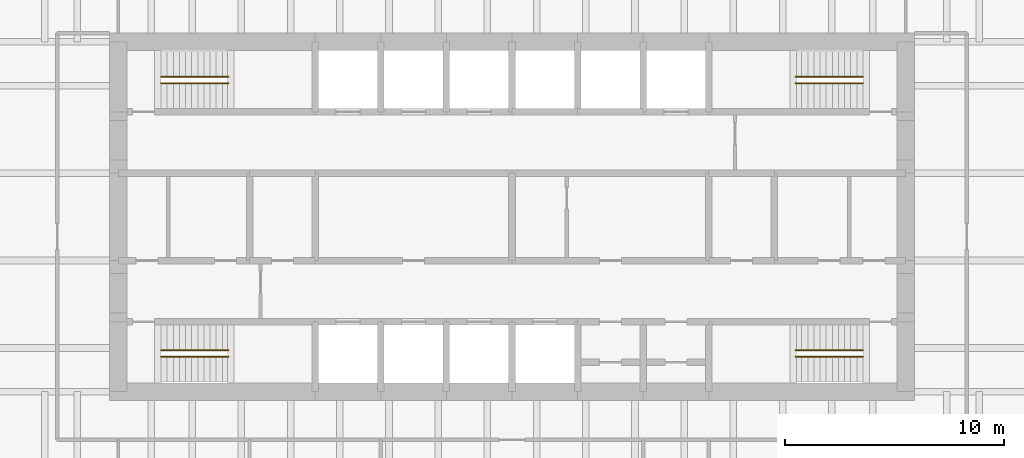
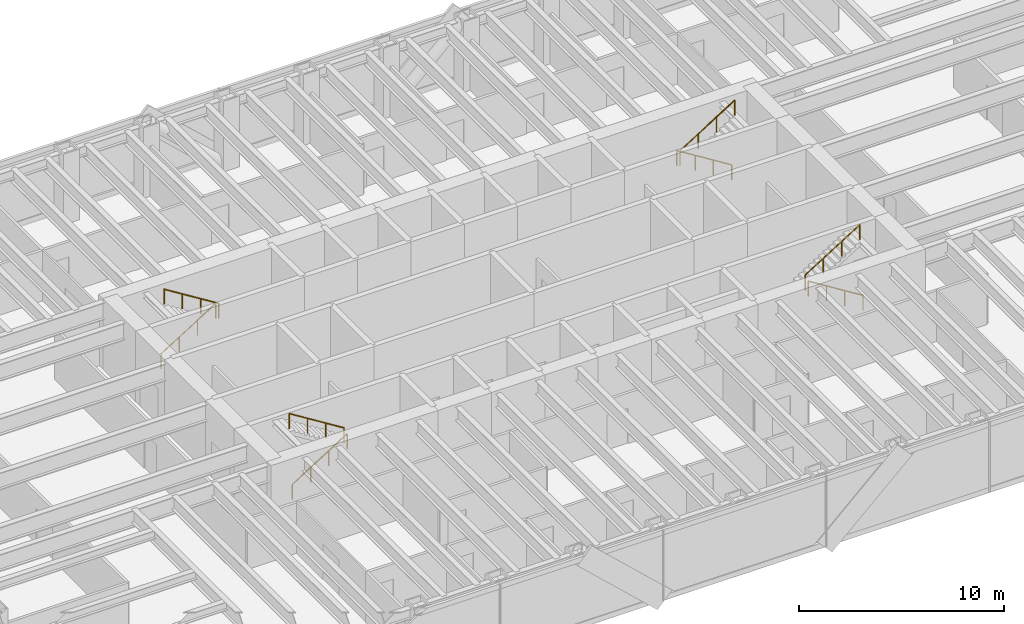
# One storey, part 16 of 16: 8 railings.
"""IFC4 building model written with IfcOpenShell, lengths in metres."""

from ifc_helpers import new_model, si_unit, direction, frame, origin, origin_2d, place, context, subcontext, project, spatial, circle, extrude, material, type_object, element, save


model = new_model("IFC4")

# Units and contexts
model_context = context("Model", 3, precision=1e-05, world=origin(), true_north=direction((0.0, 1.0)))
body_context = subcontext(model_context, "Body", "Model", "MODEL_VIEW")
ifc_project = project(units=[si_unit("LENGTHUNIT", "METRE"), si_unit("AREAUNIT", "SQUARE_METRE"), si_unit("VOLUMEUNIT", "CUBIC_METRE"), si_unit("PLANEANGLEUNIT", "RADIAN"), si_unit("MASSUNIT", "GRAM", prefix="KILO")], contexts=[model_context])

# Site, building, storey
site_placement = place(None, origin())
site = spatial("IfcSite", under=ifc_project, at=site_placement, CompositionType="ELEMENT")
building_placement = place(site_placement, origin())
building = spatial("IfcBuilding", under=site, at=building_placement, Name="Rheinbord Bourse Tower", CompositionType="ELEMENT")
storey_placement = place(building_placement, frame((0.0, 0.0, 219.39990234375)))
storey = spatial("IfcBuildingStorey", under=building, at=storey_placement, Name="L49", CompositionType="ELEMENT", Elevation=219.39990234375)

# Railings
ifc_material = material(Name="Steel handrail", Category="steel")
railing_type = type_object("IfcRailingType", Name="HANDRAIL 900", PredefinedType="HANDRAIL", material=ifc_material)
railing_1_placement = place(storey_placement, frame((19.949951171875, 17.60009765625, 0.175048828125)))
element("IfcRailing", 1, at=railing_1_placement, inside=storey, type_object=railing_type, Name="Handrail", PredefinedType="HANDRAIL", context=body_context, shape_type="SweptSolid", body=[
    extrude(circle(Radius=0.02392578125, at=origin_2d()), frame((0.0, 0.0, 0.8759765625), z_axis=(0.847998304005, 0.0, 0.529998940003), x_axis=(0.0, 1.0, 0.0)), (0.0, 0.0, 1.0), 3.632080078125),
    extrude(circle(Radius=0.02099609375, at=origin_2d()), origin(), (0.0, 0.0, 1.0), 0.851806640625),
    extrude(circle(Radius=0.02099609375, at=origin_2d()), frame((1.026611328125, 0.0, 0.6416015625)), (0.0, 0.0, 1.0), 0.851806640625),
    extrude(circle(Radius=0.02099609375, at=origin_2d()), frame((2.053466796875, 0.0, 1.283447265625)), (0.0, 0.0, 1.0), 0.851806640625),
    extrude(circle(Radius=0.02099609375, at=origin_2d()), frame((3.080078125, 0.0, 1.925048828125)), (0.0, 0.0, 1.0), 0.851806640625),
])
railing_2_placement = place(storey_placement, frame((23.030029296875, 17.89990234375, 2.275146484375)))
element("IfcRailing", 2, at=railing_2_placement, inside=storey, type_object=railing_type, Name="Handrail", PredefinedType="HANDRAIL", context=body_context, shape_type="SweptSolid", body=[
    extrude(circle(Radius=0.02392578125, at=origin_2d()), frame((0.0, 0.0, 0.8759765625), z_axis=(-0.847998304005, 0.0, 0.529998940003), x_axis=(0.0, -1.0, 0.0)), (0.0, 0.0, 1.0), 3.632080078125),
    extrude(circle(Radius=0.02099609375, at=origin_2d()), origin(), (0.0, 0.0, 1.0), 0.851806640625),
    extrude(circle(Radius=0.02099609375, at=origin_2d()), frame((-1.026611328125, 0.0, 0.6416015625)), (0.0, 0.0, 1.0), 0.851806640625),
    extrude(circle(Radius=0.02099609375, at=origin_2d()), frame((-2.053466796875, 0.0, 1.283447265625)), (0.0, 0.0, 1.0), 0.851806640625),
    extrude(circle(Radius=0.02099609375, at=origin_2d()), frame((-3.080078125, 0.0, 1.925048828125)), (0.0, 0.0, 1.0), 0.851806640625),
])
railing_3_placement = place(storey_placement, frame((19.949951171875, 30.39990234375, 0.175048828125)))
element("IfcRailing", 3, at=railing_3_placement, inside=storey, type_object=railing_type, Name="Handrail", PredefinedType="HANDRAIL", context=body_context, shape_type="SweptSolid", body=[
    extrude(circle(Radius=0.02392578125, at=origin_2d()), frame((0.0, 0.0, 0.8759765625), z_axis=(0.847998304005, 0.0, 0.529998940003), x_axis=(0.0, 1.0, 0.0)), (0.0, 0.0, 1.0), 3.632080078125),
    extrude(circle(Radius=0.02099609375, at=origin_2d()), origin(), (0.0, 0.0, 1.0), 0.851806640625),
    extrude(circle(Radius=0.02099609375, at=origin_2d()), frame((1.026611328125, 0.0, 0.6416015625)), (0.0, 0.0, 1.0), 0.851806640625),
    extrude(circle(Radius=0.02099609375, at=origin_2d()), frame((2.053466796875, 0.0, 1.283447265625)), (0.0, 0.0, 1.0), 0.851806640625),
    extrude(circle(Radius=0.02099609375, at=origin_2d()), frame((3.080078125, 0.0, 1.925048828125)), (0.0, 0.0, 1.0), 0.851806640625),
])
for number, where, name in (
    (4, (23.030029296875, 30.10009765625, 2.275146484375), "Handrail"),
    (5, (52.050048828125, 17.60009765625, 0.175048828125), "Handrail"),
):
    element("IfcRailing", number, at=place(storey_placement, frame(where)), inside=storey, type_object=railing_type, Name=name, PredefinedType="HANDRAIL", context=body_context, shape_type="SweptSolid", body=[
        extrude(circle(Radius=0.02392578125, at=origin_2d()), frame((0.0, 0.0, 0.8759765625), z_axis=(-0.847998304005, 0.0, 0.529998940003), x_axis=(0.0, -1.0, 0.0)), (0.0, 0.0, 1.0), 3.632080078125),
        extrude(circle(Radius=0.02099609375, at=origin_2d()), origin(), (0.0, 0.0, 1.0), 0.851806640625),
        extrude(circle(Radius=0.02099609375, at=origin_2d()), frame((-1.026611328125, 0.0, 0.6416015625)), (0.0, 0.0, 1.0), 0.851806640625),
        extrude(circle(Radius=0.02099609375, at=origin_2d()), frame((-2.053466796875, 0.0, 1.283447265625)), (0.0, 0.0, 1.0), 0.851806640625),
        extrude(circle(Radius=0.02099609375, at=origin_2d()), frame((-3.080078125, 0.0, 1.925048828125)), (0.0, 0.0, 1.0), 0.851806640625),
    ])
railing_4_placement = place(storey_placement, frame((48.969970703125, 17.89990234375, 2.275146484375)))
element("IfcRailing", 6, at=railing_4_placement, inside=storey, type_object=railing_type, Name="Handrail", PredefinedType="HANDRAIL", context=body_context, shape_type="SweptSolid", body=[
    extrude(circle(Radius=0.02392578125, at=origin_2d()), frame((0.0, 0.0, 0.8759765625), z_axis=(0.847998304005, 0.0, 0.529998940003), x_axis=(0.0, 1.0, 0.0)), (0.0, 0.0, 1.0), 3.632080078125),
    extrude(circle(Radius=0.02099609375, at=origin_2d()), origin(), (0.0, 0.0, 1.0), 0.851806640625),
    extrude(circle(Radius=0.02099609375, at=origin_2d()), frame((1.026611328125, 0.0, 0.6416015625)), (0.0, 0.0, 1.0), 0.851806640625),
    extrude(circle(Radius=0.02099609375, at=origin_2d()), frame((2.053466796875, 0.0, 1.283447265625)), (0.0, 0.0, 1.0), 0.851806640625),
    extrude(circle(Radius=0.02099609375, at=origin_2d()), frame((3.080078125, 0.0, 1.925048828125)), (0.0, 0.0, 1.0), 0.851806640625),
])
railing_5_placement = place(storey_placement, frame((52.050048828125, 30.39990234375, 0.175048828125)))
element("IfcRailing", 7, at=railing_5_placement, inside=storey, type_object=railing_type, Name="Handrail", PredefinedType="HANDRAIL", context=body_context, shape_type="SweptSolid", body=[
    extrude(circle(Radius=0.02392578125, at=origin_2d()), frame((0.0, 0.0, 0.8759765625), z_axis=(-0.847998304005, 0.0, 0.529998940003), x_axis=(0.0, -1.0, 0.0)), (0.0, 0.0, 1.0), 3.632080078125),
    extrude(circle(Radius=0.02099609375, at=origin_2d()), origin(), (0.0, 0.0, 1.0), 0.851806640625),
    extrude(circle(Radius=0.02099609375, at=origin_2d()), frame((-1.026611328125, 0.0, 0.6416015625)), (0.0, 0.0, 1.0), 0.851806640625),
    extrude(circle(Radius=0.02099609375, at=origin_2d()), frame((-2.053466796875, 0.0, 1.283447265625)), (0.0, 0.0, 1.0), 0.851806640625),
    extrude(circle(Radius=0.02099609375, at=origin_2d()), frame((-3.080078125, 0.0, 1.925048828125)), (0.0, 0.0, 1.0), 0.851806640625),
])
railing_6_placement = place(storey_placement, frame((48.969970703125, 30.10009765625, 2.275146484375)))
element("IfcRailing", 8, at=railing_6_placement, inside=storey, type_object=railing_type, Name="Handrail", PredefinedType="HANDRAIL", context=body_context, shape_type="SweptSolid", body=[
    extrude(circle(Radius=0.02392578125, at=origin_2d()), frame((0.0, 0.0, 0.8759765625), z_axis=(0.847998304005, 0.0, 0.529998940003), x_axis=(0.0, 1.0, 0.0)), (0.0, 0.0, 1.0), 3.632080078125),
    extrude(circle(Radius=0.02099609375, at=origin_2d()), origin(), (0.0, 0.0, 1.0), 0.851806640625),
    extrude(circle(Radius=0.02099609375, at=origin_2d()), frame((1.026611328125, 0.0, 0.6416015625)), (0.0, 0.0, 1.0), 0.851806640625),
    extrude(circle(Radius=0.02099609375, at=origin_2d()), frame((2.053466796875, 0.0, 1.283447265625)), (0.0, 0.0, 1.0), 0.851806640625),
    extrude(circle(Radius=0.02099609375, at=origin_2d()), frame((3.080078125, 0.0, 1.925048828125)), (0.0, 0.0, 1.0), 0.851806640625),
])

save(model, "model.ifc")
